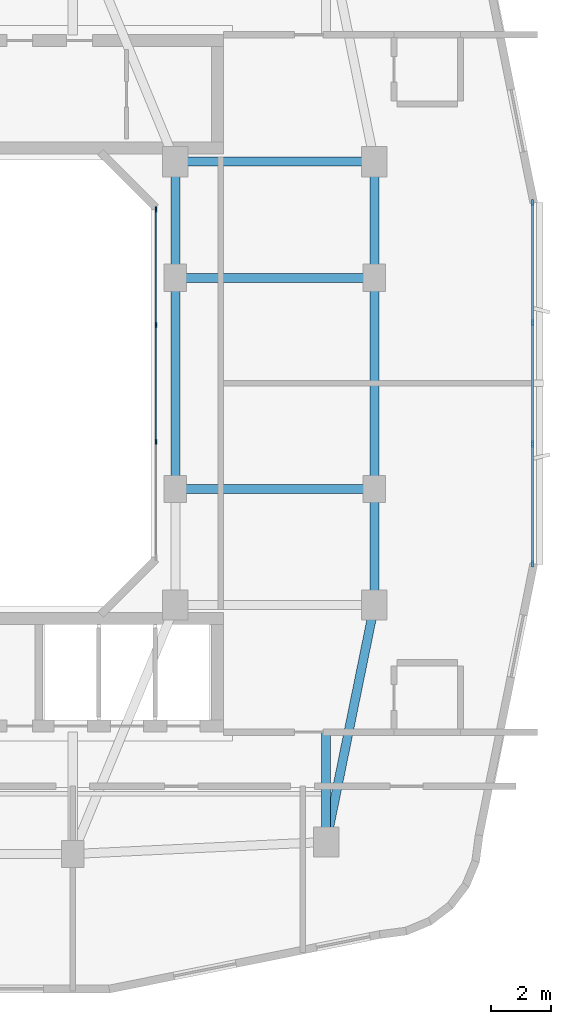
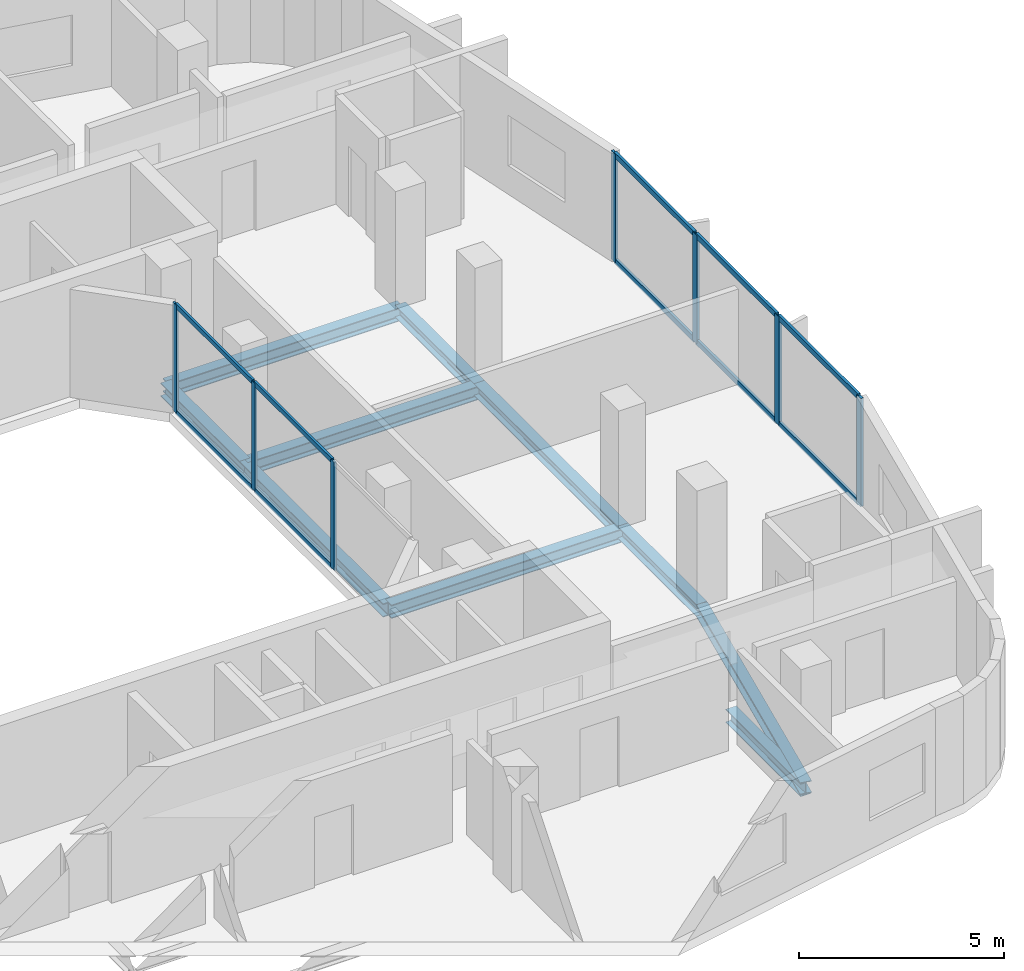
# One storey, part 3 of 12: 17 members, 10 beams, 2 elements without a shape of their own.
"""IFC4 building model written with IfcOpenShell, lengths in metres."""

import ifcopenshell
import ifcopenshell.guid

model = None  # the IFC model being written
_history = None  # IfcOwnerHistory: only IFC2X3 demands one
_inside = {}  # id of a spatial element -> (the spatial element, [elements in it])
_under = {}  # id of a project, library or spatial element -> (it, [spatial elements below it])
_declared = {}  # id of a project -> (the project, [libraries it declares])
_typed = {}  # id of a type object -> (the type object, [elements of that type])
_made_of = {}  # id of a material, layer set ... -> (it, [elements and type objects made of it])


def new_model(schema):
    """Start an empty IFC model of exactly this schema.

    Asked for "IFC4X3", IfcOpenShell would pick the latest addendum, in which some entities
    have other attributes; the version numbers below select the first issue.
    IFC2X3 requires an IfcOwnerHistory on every rooted entity: one is made here for all.
    """
    global model, _history
    if schema == "IFC4X3":
        model = ifcopenshell.file(schema_version=(4, 3, 0, 0))
    else:
        model = ifcopenshell.file(schema=schema)
    _inside.clear()
    _under.clear()
    _declared.clear()
    _typed.clear()
    _made_of.clear()
    _history = None
    if model.schema == "IFC2X3":
        org = make("IfcOrganization", Name="unknown")
        user = make(
            "IfcPersonAndOrganization",
            ThePerson=make("IfcPerson", FamilyName="unknown"),
            TheOrganization=org,
        )
        app = make(
            "IfcApplication",
            ApplicationDeveloper=org,
            Version="unknown",
            ApplicationFullName="unknown",
            ApplicationIdentifier="unknown",
        )
        _history = make(
            "IfcOwnerHistory",
            OwningUser=user,
            OwningApplication=app,
            ChangeAction="ADDED",
            CreationDate=0,
        )
    return model


def make(cls, **values):
    """One entity of the class cls with the attributes given. An attribute that is None is left unset."""
    return model.create_entity(
        cls, **{name: value for name, value in values.items() if value is not None}
    )


def rooted(cls, **values):
    """An entity with a GlobalId (a new one), such as an element, a storey or a relation."""
    return make(cls, GlobalId=ifcopenshell.guid.new(), OwnerHistory=_history, **values)


def si_unit(unit_type, name, prefix=None):
    """IfcSIUnit, for example si_unit("LENGTHUNIT", "METRE", prefix="MILLI")."""
    return make("IfcSIUnit", UnitType=unit_type, Prefix=prefix, Name=name)


def derived_unit(unit_type, elements):
    """IfcDerivedUnit: a product of units, each with its exponent."""
    return make(
        "IfcDerivedUnit",
        Elements=[
            make("IfcDerivedUnitElement", Unit=unit, Exponent=power)
            for unit, power in elements
        ],
        UnitType=unit_type,
    )


def assignment(units):
    """IfcUnitAssignment: the units of a project."""
    return None if units is None else make("IfcUnitAssignment", Units=units)


def point(xyz):
    """IfcCartesianPoint."""
    return None if xyz is None else make("IfcCartesianPoint", Coordinates=xyz)


def direction(xyz):
    """IfcDirection."""
    return None if xyz is None else make("IfcDirection", DirectionRatios=xyz)


def frame(location, z_axis=None, x_axis=None):
    """IfcAxis2Placement3D, a coordinate frame: its origin and axes. An axis left out is left unset."""
    return make(
        "IfcAxis2Placement3D",
        Location=point(location),
        Axis=direction(z_axis),
        RefDirection=direction(x_axis),
    )


def frame_2d(location, x_axis=None):
    """IfcAxis2Placement2D, a coordinate frame in the plane: its origin and x axis."""
    return make(
        "IfcAxis2Placement2D", Location=point(location), RefDirection=direction(x_axis)
    )


def origin():
    """The frame at (0, 0, 0) with its axes left unset."""
    return frame((0.0, 0.0, 0.0))


def origin_2d():
    """The frame at (0, 0) in the plane with its x axis left unset."""
    return frame_2d((0.0, 0.0))


def place(relative_to, where):
    """IfcLocalPlacement: puts the frame where relative to a parent placement (None: the world)."""
    return make(
        "IfcLocalPlacement", PlacementRelTo=relative_to, RelativePlacement=where
    )


def context(
    kind, dimensions, precision=None, world=None, true_north=None, identifier=None
):
    """IfcGeometricRepresentationContext, for example the 3D "Model" context."""
    return make(
        "IfcGeometricRepresentationContext",
        ContextIdentifier=identifier,
        ContextType=kind,
        CoordinateSpaceDimension=dimensions,
        Precision=precision,
        WorldCoordinateSystem=world,
        TrueNorth=true_north,
    )


def subcontext(parent, identifier, kind, view, scale=None):
    """IfcGeometricRepresentationSubContext, for example "Body" below "Model"."""
    return make(
        "IfcGeometricRepresentationSubContext",
        ContextIdentifier=identifier,
        ContextType=kind,
        ParentContext=parent,
        TargetScale=scale,
        TargetView=view,
    )


def project(units=None, contexts=None):
    """IfcProject with its units and contexts."""
    return rooted(
        "IfcProject",
        Name="project",
        RepresentationContexts=contexts,
        UnitsInContext=assignment(units),
    )


def spatial(cls, under=None, at=None, **own):
    """A site, building, storey or space (cls), placed at a placement, below another one or the project."""
    s = rooted(cls, ObjectPlacement=at, **own)
    if under is not None:
        _under.setdefault(under.id(), (under, []))[1].append(s)
    return s


def profile(cls, at=None, kind="AREA", **sizes):
    """A parametric profile (cls). Its sizes go by their IFC names, for example OverallWidth=200.0."""
    return make(cls, ProfileType=kind, Position=at, **sizes)


def rectangle(**sizes):
    """IfcRectangleProfileDef."""
    return profile("IfcRectangleProfileDef", **sizes)


def i_section(**sizes):
    """IfcIShapeProfileDef."""
    return profile("IfcIShapeProfileDef", **sizes)


def extrude(swept, where, along, depth):
    """IfcExtrudedAreaSolid: the profile swept, set in the frame where, extruded along a direction by depth."""
    return make(
        "IfcExtrudedAreaSolid",
        SweptArea=swept,
        Position=where,
        ExtrudedDirection=direction(along),
        Depth=depth,
    )


def shape(context_of_items, identifier, shape_type, items):
    """IfcShapeRepresentation: the items that make up one representation, for example the "Body"."""
    return make(
        "IfcShapeRepresentation",
        ContextOfItems=context_of_items,
        RepresentationIdentifier=identifier,
        RepresentationType=shape_type,
        Items=items,
    )


def material(Name=None, Category=None):
    """IfcMaterial."""
    return make("IfcMaterial", Name=Name, Category=Category)


def layer(
    of_material, thickness, ventilated=None, Name=None, Category=None, Priority=None
):
    """IfcMaterialLayer: one layer of a wall or slab, of a material (None: an air gap)."""
    return make(
        "IfcMaterialLayer",
        Material=of_material,
        LayerThickness=thickness,
        IsVentilated=ventilated,
        Name=Name,
        Category=Category,
        Priority=Priority,
    )


def layer_set(layers, Name=None):
    """IfcMaterialLayerSet."""
    return make("IfcMaterialLayerSet", MaterialLayers=layers, LayerSetName=Name)


def material_profile(
    of_material, cross_section, Name=None, Category=None, Priority=None
):
    """IfcMaterialProfile: a cross section and its material."""
    return make(
        "IfcMaterialProfile",
        Name=Name,
        Material=of_material,
        Profile=cross_section,
        Priority=Priority,
        Category=Category,
    )


def profile_set(profiles, Name=None, composite=None):
    """IfcMaterialProfileSet."""
    return make(
        "IfcMaterialProfileSet",
        Name=Name,
        MaterialProfiles=profiles,
        CompositeProfile=composite,
    )


def made_of(thing, what):
    """Note that an element or type object is made of a material, layer set ...; save() writes the relation."""
    if what is not None:
        _made_of.setdefault(what.id(), (what, []))[1].append(thing)
    return thing


def type_object(cls, material=None, **own):
    """A type object (cls), such as IfcWallType, which elements share."""
    return made_of(rooted(cls, **own), material)


def element(
    cls,
    number,
    at=None,
    inside=None,
    cuts=None,
    type_object=None,
    material=None,
    context=None,
    identifier="Body",
    shape_type=None,
    held_by="IfcProductDefinitionShape",
    body=None,
    shapes=None,
    **own,
):
    """One element of the class cls, such as IfcWall. Its Tag is "e" and its number.

    at: its placement. inside: the storey or other place that contains it. cuts: it is an
    opening in that element (IfcRelVoidsElement). A single representation is given by context,
    identifier, shape_type and body (its items); several are given by shapes. held_by: the class
    of the entity that holds the representations. save() writes the other relations.
    """
    e = rooted(cls, Tag="e%d" % number, ObjectPlacement=at, **own)
    if body is not None:
        shapes = [shape(context, identifier, shape_type, body)]
    if shapes is not None:
        e.Representation = make(held_by, Representations=shapes)
    if inside is not None:
        _inside.setdefault(inside.id(), (inside, []))[1].append(e)
    if cuts is not None:
        rooted(
            "IfcRelVoidsElement", RelatingBuildingElement=cuts, RelatedOpeningElement=e
        )
    if type_object is not None:
        _typed.setdefault(type_object.id(), (type_object, []))[1].append(e)
    return made_of(e, material)


def aggregate(whole, parts):
    """IfcRelAggregates: a whole, such as a stair, and the parts it consists of."""
    return rooted("IfcRelAggregates", RelatingObject=whole, RelatedObjects=parts)


def save(model, path):
    """Write the relations noted so far, then the file.

    IfcRelAggregates (storeys below a building ...), IfcRelContainedInSpatialStructure (elements
    in a storey), IfcRelDefinesByType, IfcRelAssociatesMaterial and IfcRelDeclares: one each for
    every whole, place, type object, material and project.
    """
    for whole, parts in _under.values():
        aggregate(whole, parts)
    for where, things in _inside.values():
        rooted(
            "IfcRelContainedInSpatialStructure",
            RelatedElements=things,
            RelatingStructure=where,
        )
    for kind, things in _typed.values():
        rooted("IfcRelDefinesByType", RelatedObjects=things, RelatingType=kind)
    for what, things in _made_of.values():
        rooted("IfcRelAssociatesMaterial", RelatedObjects=things, RelatingMaterial=what)
    for by, libraries in _declared.values():
        rooted("IfcRelDeclares", RelatingContext=by, RelatedDefinitions=libraries)
    model.write(path)


model = new_model("IFC4")

# Units and contexts
model_context = context("Model", 3, precision=1e-05, world=origin(), true_north=direction((0.0, 1.0)))
body_context = subcontext(model_context, "Body", "Model", "MODEL_VIEW")
ifc_project = project(units=[si_unit("LENGTHUNIT", "METRE"), si_unit("AREAUNIT", "SQUARE_METRE"), si_unit("VOLUMEUNIT", "CUBIC_METRE"), si_unit("PLANEANGLEUNIT", "RADIAN"), si_unit("MASSUNIT", "GRAM", prefix="KILO"), derived_unit("THERMALTRANSMITTANCEUNIT", [(si_unit("POWERUNIT", "WATT"), 1), (si_unit("LENGTHUNIT", "METRE"), -2), (si_unit("THERMODYNAMICTEMPERATUREUNIT", "KELVIN"), -1)])], contexts=[model_context])

# Site, building, storey
site_placement = place(None, origin())
site = spatial("IfcSite", under=ifc_project, at=site_placement, CompositionType="ELEMENT")
building_placement = place(site_placement, origin())
building = spatial("IfcBuilding", under=site, at=building_placement, Name="Kivonza Crest Hotel", CompositionType="ELEMENT")
storey_placement = place(building_placement, frame((0.0, 0.0, 166.0)))
storey = spatial("IfcBuildingStorey", under=building, at=storey_placement, Name="L45", CompositionType="ELEMENT", Elevation=166.0)

# Beams
ifc_material_1 = material(Name="Steel S355", Category="steel")
ifc_material_profile_1 = material_profile(ifc_material_1, i_section(OverallWidth=0.300048828125, OverallDepth=0.360107421875, WebThickness=0.012451171875, FlangeThickness=0.0224609375, FilletRadius=0.027099609375, at=origin_2d()), Name="HEB 360")
ifc_profile_set_1 = profile_set([ifc_material_profile_1], Name="Steel S355")
beam_type_1 = type_object("IfcBeamType", Name="BM-HEB360", PredefinedType="SPANDREL", material=ifc_profile_set_1)
beam_1_placement = place(storey_placement, frame((34.199951171875, 9.800048828125, -0.4599609375), z_axis=(0.199730733965, 0.979850822273, 0.0), x_axis=(-0.979850822273, 0.199730733965, 0.0)))
element("IfcBeam", 1, at=beam_1_placement, inside=storey, type_object=beam_type_1, Name="Tower T1 L45 perimeter spandrel SE-PSE", PredefinedType="SPANDREL", context=body_context, shape_type="SweptSolid", body=[
    extrude(i_section(OverallWidth=0.300048828125, OverallDepth=0.360107421875, WebThickness=0.012451171875, FlangeThickness=0.0224609375, FilletRadius=0.027099609375, at=origin_2d()), origin(), (0.0, 0.0, 1.0), 8.01123046875),
])
beam_2_placement = place(storey_placement, frame((35.800048828125, 17.64990234375, -0.4599609375), z_axis=(0.0, 1.0, 0.0), x_axis=(-1.0, 0.0, 0.0)))
element("IfcBeam", 2, at=beam_2_placement, inside=storey, type_object=beam_type_1, Name="Tower T1 L45 perimeter spandrel PSE-E1", PredefinedType="SPANDREL", context=body_context, shape_type="SweptSolid", body=[
    extrude(i_section(OverallWidth=0.300048828125, OverallDepth=0.360107421875, WebThickness=0.012451171875, FlangeThickness=0.0224609375, FilletRadius=0.027099609375, at=origin_2d()), origin(), (0.0, 0.0, 1.0), 3.85009765625),
])
beam_3_placement = place(storey_placement, frame((35.800048828125, 21.5, -0.4599609375), z_axis=(0.0, 1.0, 0.0), x_axis=(-1.0, 0.0, 0.0)))
element("IfcBeam", 3, at=beam_3_placement, inside=storey, type_object=beam_type_1, Name="Tower T1 L45 perimeter spandrel E1-E2", PredefinedType="SPANDREL", context=body_context, shape_type="SweptSolid", body=[
    extrude(i_section(OverallWidth=0.300048828125, OverallDepth=0.360107421875, WebThickness=0.012451171875, FlangeThickness=0.0224609375, FilletRadius=0.027099609375, at=origin_2d()), origin(), (0.0, 0.0, 1.0), 7.0),
])
beam_4_placement = place(storey_placement, frame((35.800048828125, 28.5, -0.4599609375), z_axis=(0.0, 1.0, 0.0), x_axis=(-1.0, 0.0, 0.0)))
element("IfcBeam", 4, at=beam_4_placement, inside=storey, type_object=beam_type_1, Name="Tower T1 L45 perimeter spandrel E2-PNE", PredefinedType="SPANDREL", context=body_context, shape_type="SweptSolid", body=[
    extrude(i_section(OverallWidth=0.300048828125, OverallDepth=0.360107421875, WebThickness=0.012451171875, FlangeThickness=0.0224609375, FilletRadius=0.027099609375, at=origin_2d()), origin(), (0.0, 0.0, 1.0), 3.85009765625),
])
ifc_material_profile_2 = material_profile(ifc_material_1, i_section(OverallWidth=0.300048828125, OverallDepth=0.39990234375, WebThickness=0.013427734375, FlangeThickness=0.02392578125, FilletRadius=0.027099609375, at=origin_2d()), Name="HEB 400")
ifc_profile_set_2 = profile_set([ifc_material_profile_2], Name="Steel S355")
beam_type_2 = type_object("IfcBeamType", Name="BM-HEB400", PredefinedType="BEAM", material=ifc_profile_set_2)
beam_5_placement = place(storey_placement, frame((29.199951171875, 32.35009765625, -0.47998046875), z_axis=(1.0, 0.0, 0.0), x_axis=(0.0, 1.0, 0.0)))
element("IfcBeam", 5, at=beam_5_placement, inside=storey, type_object=beam_type_2, Name="Tower T1 L45 primary girder TNE-PNE", PredefinedType="BEAM", context=body_context, shape_type="SweptSolid", body=[
    extrude(i_section(OverallWidth=0.300048828125, OverallDepth=0.39990234375, WebThickness=0.013427734375, FlangeThickness=0.02392578125, FilletRadius=0.027099609375, at=origin_2d()), origin(), (0.0, 0.0, 1.0), 6.60009765625),
])
beam_6_placement = place(storey_placement, frame((29.199951171875, 21.5, -0.47998046875), z_axis=(0.0, 1.0, 0.0), x_axis=(-1.0, 0.0, 0.0)))
element("IfcBeam", 6, at=beam_6_placement, inside=storey, type_object=beam_type_2, Name="Tower T1 L45 primary girder WR1-WR2", PredefinedType="BEAM", context=body_context, shape_type="SweptSolid", body=[
    extrude(i_section(OverallWidth=0.300048828125, OverallDepth=0.39990234375, WebThickness=0.013427734375, FlangeThickness=0.02392578125, FilletRadius=0.027099609375, at=origin_2d()), origin(), (0.0, 0.0, 1.0), 7.0),
])
beam_7_placement = place(storey_placement, frame((29.199951171875, 28.5, -0.47998046875), z_axis=(0.0, 1.0, 0.0), x_axis=(-1.0, 0.0, 0.0)))
element("IfcBeam", 7, at=beam_7_placement, inside=storey, type_object=beam_type_2, Name="Tower T1 L45 primary girder WR2-TNE", PredefinedType="BEAM", context=body_context, shape_type="SweptSolid", body=[
    extrude(i_section(OverallWidth=0.300048828125, OverallDepth=0.39990234375, WebThickness=0.013427734375, FlangeThickness=0.02392578125, FilletRadius=0.027099609375, at=origin_2d()), origin(), (0.0, 0.0, 1.0), 3.85009765625),
])
for number, where, z_axis, x_axis, name in (
    (8, (29.199951171875, 21.5, -0.47998046875), (1.0, 0.0, 0.0), (0.0, 1.0, 0.0), "Tower T1 L45 primary girder WR1-E1"),
    (9, (29.199951171875, 28.5, -0.47998046875), (1.0, 0.0, 0.0), (0.0, 1.0, 0.0), "Tower T1 L45 primary girder WR2-E2"),
):
    element("IfcBeam", number, at=place(storey_placement, frame(where, z_axis=z_axis, x_axis=x_axis)), inside=storey, type_object=beam_type_2, Name=name, PredefinedType="BEAM", context=body_context, shape_type="SweptSolid", body=[
        extrude(i_section(OverallWidth=0.300048828125, OverallDepth=0.39990234375, WebThickness=0.013427734375, FlangeThickness=0.02392578125, FilletRadius=0.027099609375, at=origin_2d()), origin(), (0.0, 0.0, 1.0), 6.60009765625),
    ])
beam_8_placement = place(storey_placement, frame((34.199951171875, 9.800048828125, -0.47998046875), z_axis=(0.0, 1.0, 0.0), x_axis=(-1.0, 0.0, 0.0)))
element("IfcBeam", 10, at=beam_8_placement, inside=storey, type_object=beam_type_2, Name="Tower T1 L45 radial core girder RSE", PredefinedType="BEAM", context=body_context, shape_type="SweptSolid", body=[
    extrude(i_section(OverallWidth=0.300048828125, OverallDepth=0.39990234375, WebThickness=0.013427734375, FlangeThickness=0.02392578125, FilletRadius=0.027099609375, at=origin_2d()), origin(), (0.0, 0.0, 1.0), 3.64990234375),
])

# Curtain wall, members
ifc_material_2 = material(Name="Anodised bronze aluminium and low-E double glazing", Category="aluminium")
ifc_layer_1 = layer(ifc_material_2, 0.159912109375)
ifc_layer_set_1 = layer_set([ifc_layer_1], Name="Anodised bronze aluminium and low-E double glazing")
curtain_wall_type_1 = type_object("IfcCurtainWallType", Name="CW-SYS-5", PredefinedType="NOTDEFINED", material=ifc_layer_set_1)
curtain_wall_1_placement = place(storey_placement, origin())
curtain_wall_1 = element("IfcCurtainWall", 11, at=curtain_wall_1_placement, inside=storey, type_object=curtain_wall_type_1, Name="L45 unitised curtain wall CW-WELL-T1-L45-3", PredefinedType="NOTDEFINED")
ifc_material_3 = material(Name="Anodised bronze aluminium", Category="aluminium")
ifc_material_profile_3 = material_profile(ifc_material_3, rectangle(XDim=0.06494140625, YDim=0.179931640625, at=origin_2d()), Name="CW-M 65x180")
ifc_profile_set_3 = profile_set([ifc_material_profile_3], Name="Anodised bronze aluminium")
member_type_1 = type_object("IfcMemberType", Name="CW-MUL-65x180", PredefinedType="MULLION", material=ifc_profile_set_3)
member_1_placement = place(storey_placement, frame((28.56005859375, 23.066650390625, 0.0), z_axis=(0.0, 0.0, 1.0), x_axis=(-1.0, 0.0, 0.0)))
member_1 = element("IfcMember", 12, at=member_1_placement, type_object=member_type_1, Name="CW-5 mullion 2", PredefinedType="MULLION", context=body_context, shape_type="SweptSolid", body=[
    extrude(rectangle(XDim=0.06494140625, YDim=0.179931640625, at=origin_2d()), origin(), (0.0, 0.0, 1.0), 3.219970703125),
])
member_2_placement = place(storey_placement, frame((28.56005859375, 26.933349609375, 0.0), z_axis=(0.0, 0.0, 1.0), x_axis=(-1.0, 0.0, 0.0)))
member_2 = element("IfcMember", 13, at=member_2_placement, type_object=member_type_1, Name="CW-5 mullion 3", PredefinedType="MULLION", context=body_context, shape_type="SweptSolid", body=[
    extrude(rectangle(XDim=0.06494140625, YDim=0.179931640625, at=origin_2d()), origin(), (0.0, 0.0, 1.0), 3.219970703125),
])
member_3_placement = place(storey_placement, frame((28.56005859375, 30.767578125, 0.0), z_axis=(0.0, 0.0, 1.0), x_axis=(-1.0, 0.0, 0.0)))
member_3 = element("IfcMember", 14, at=member_3_placement, type_object=member_type_1, Name="CW-5 mullion 4", PredefinedType="MULLION", context=body_context, shape_type="SweptSolid", body=[
    extrude(rectangle(XDim=0.06494140625, YDim=0.179931640625, at=origin_2d()), origin(), (0.0, 0.0, 1.0), 3.219970703125),
])

ifc_layer_2 = layer(ifc_material_2, 0.179931640625)
ifc_layer_set_2 = layer_set([ifc_layer_2], Name="Anodised bronze aluminium and low-E double glazing")
curtain_wall_type_2 = type_object("IfcCurtainWallType", Name="CW-SYS-3", PredefinedType="NOTDEFINED", material=ifc_layer_set_2)
curtain_wall_2_placement = place(storey_placement, origin())
curtain_wall_2 = element("IfcCurtainWall", 15, at=curtain_wall_2_placement, inside=storey, type_object=curtain_wall_type_2, Name="L45 unitised curtain wall CW-T1-L45-17", PredefinedType="NOTDEFINED")
ifc_material_profile_4 = material_profile(ifc_material_3, rectangle(XDim=0.074951171875, YDim=0.219970703125, at=origin_2d()), Name="CW-M 75x220")
ifc_profile_set_4 = profile_set([ifc_material_profile_4], Name="Anodised bronze aluminium")
member_type_2 = type_object("IfcMemberType", Name="CW-MUL-75x220", PredefinedType="MULLION", material=ifc_profile_set_4)
member_4_placement = place(storey_placement, frame((41.0400390625, 19.017578125, 0.0), z_axis=(0.0, 0.0, 1.0), x_axis=(-1.0, 0.0, 0.0)))
member_4 = element("IfcMember", 16, at=member_4_placement, type_object=member_type_2, Name="CW-3 mullion 1", PredefinedType="MULLION", context=body_context, shape_type="SweptSolid", body=[
    extrude(rectangle(XDim=0.074951171875, YDim=0.219970703125, at=origin_2d()), origin(), (0.0, 0.0, 1.0), 3.219970703125),
])
member_5_placement = place(storey_placement, frame((41.0400390625, 22.993408203125, 0.0), z_axis=(0.0, 0.0, 1.0), x_axis=(-1.0, 0.0, 0.0)))
member_5 = element("IfcMember", 17, at=member_5_placement, type_object=member_type_2, Name="CW-3 mullion 2", PredefinedType="MULLION", context=body_context, shape_type="SweptSolid", body=[
    extrude(rectangle(XDim=0.074951171875, YDim=0.219970703125, at=origin_2d()), origin(), (0.0, 0.0, 1.0), 3.219970703125),
])
member_6_placement = place(storey_placement, frame((41.0400390625, 27.006591796875, 0.0), z_axis=(0.0, 0.0, 1.0), x_axis=(-1.0, 0.0, 0.0)))
member_6 = element("IfcMember", 18, at=member_6_placement, type_object=member_type_2, Name="CW-3 mullion 3", PredefinedType="MULLION", context=body_context, shape_type="SweptSolid", body=[
    extrude(rectangle(XDim=0.074951171875, YDim=0.219970703125, at=origin_2d()), origin(), (0.0, 0.0, 1.0), 3.219970703125),
])
member_7_placement = place(storey_placement, frame((41.0400390625, 30.982421875, 0.0), z_axis=(0.0, 0.0, 1.0), x_axis=(-1.0, 0.0, 0.0)))
member_7 = element("IfcMember", 19, at=member_7_placement, type_object=member_type_2, Name="CW-3 mullion 4", PredefinedType="MULLION", context=body_context, shape_type="SweptSolid", body=[
    extrude(rectangle(XDim=0.074951171875, YDim=0.219970703125, at=origin_2d()), origin(), (0.0, 0.0, 1.0), 3.219970703125),
])

# Member
ifc_material_profile_5 = material_profile(ifc_material_3, rectangle(XDim=0.06494140625, YDim=0.139892578125, at=origin_2d()), Name="CW-T 65x140")
ifc_profile_set_5 = profile_set([ifc_material_profile_5], Name="Anodised bronze aluminium")
member_type_3 = type_object("IfcMemberType", Name="CW-TRN-65x140", PredefinedType="USERDEFINED", material=ifc_profile_set_5)
member_8_placement = place(storey_placement, frame((28.56005859375, 23.09912109375, 0.032470703125), z_axis=(0.0, 1.0, 0.0), x_axis=(-1.0, 0.0, 0.0)))
member_8 = element("IfcMember", 20, at=member_8_placement, type_object=member_type_3, Name="CW-5 transom 2.1", ObjectType="TRANSOM", PredefinedType="USERDEFINED", context=body_context, shape_type="SweptSolid", body=[
    extrude(rectangle(XDim=0.06494140625, YDim=0.139892578125, at=origin_2d()), origin(), (0.0, 0.0, 1.0), 3.8017578125),
])

member_9_placement = place(storey_placement, frame((28.56005859375, 23.09912109375, 3.1875), z_axis=(0.0, 1.0, 0.0), x_axis=(-1.0, 0.0, 0.0)))
member_9 = element("IfcMember", 21, at=member_9_placement, type_object=member_type_3, Name="CW-5 transom 2.2", ObjectType="TRANSOM", PredefinedType="USERDEFINED", context=body_context, shape_type="SweptSolid", body=[
    extrude(rectangle(XDim=0.06494140625, YDim=0.139892578125, at=origin_2d()), origin(), (0.0, 0.0, 1.0), 3.8017578125),
])

member_10_placement = place(storey_placement, frame((28.56005859375, 26.9658203125, 0.032470703125), z_axis=(0.0, 1.0, 0.0), x_axis=(-1.0, 0.0, 0.0)))
member_10 = element("IfcMember", 22, at=member_10_placement, type_object=member_type_3, Name="CW-5 transom 3.1", ObjectType="TRANSOM", PredefinedType="USERDEFINED", context=body_context, shape_type="SweptSolid", body=[
    extrude(rectangle(XDim=0.06494140625, YDim=0.139892578125, at=origin_2d()), origin(), (0.0, 0.0, 1.0), 3.769287109375),
])

member_11_placement = place(storey_placement, frame((28.56005859375, 26.9658203125, 3.1875), z_axis=(0.0, 1.0, 0.0), x_axis=(-1.0, 0.0, 0.0)))
member_11 = element("IfcMember", 23, at=member_11_placement, type_object=member_type_3, Name="CW-5 transom 3.2", ObjectType="TRANSOM", PredefinedType="USERDEFINED", context=body_context, shape_type="SweptSolid", body=[
    extrude(rectangle(XDim=0.06494140625, YDim=0.139892578125, at=origin_2d()), origin(), (0.0, 0.0, 1.0), 3.769287109375),
])

aggregate(curtain_wall_1, [member_1, member_2, member_3, member_8, member_9, member_10, member_11])

ifc_material_profile_6 = material_profile(ifc_material_3, rectangle(XDim=0.074951171875, YDim=0.159912109375, at=origin_2d()), Name="CW-T 75x160")
ifc_profile_set_6 = profile_set([ifc_material_profile_6], Name="Anodised bronze aluminium")
member_type_4 = type_object("IfcMemberType", Name="CW-TRN-75x160", PredefinedType="USERDEFINED", material=ifc_profile_set_6)
member_12_placement = place(storey_placement, frame((41.0400390625, 19.054931640625, 0.03759765625), z_axis=(0.0, 1.0, 0.0), x_axis=(-1.0, 0.0, 0.0)))
member_12 = element("IfcMember", 24, at=member_12_placement, type_object=member_type_4, Name="CW-3 transom 1.1", ObjectType="TRANSOM", PredefinedType="USERDEFINED", context=body_context, shape_type="SweptSolid", body=[
    extrude(rectangle(XDim=0.074951171875, YDim=0.159912109375, at=origin_2d()), origin(), (0.0, 0.0, 1.0), 3.90087890625),
])

member_13_placement = place(storey_placement, frame((41.0400390625, 19.054931640625, 3.1826171875), z_axis=(0.0, 1.0, 0.0), x_axis=(-1.0, 0.0, 0.0)))
member_13 = element("IfcMember", 25, at=member_13_placement, type_object=member_type_4, Name="CW-3 transom 1.2", ObjectType="TRANSOM", PredefinedType="USERDEFINED", context=body_context, shape_type="SweptSolid", body=[
    extrude(rectangle(XDim=0.074951171875, YDim=0.159912109375, at=origin_2d()), origin(), (0.0, 0.0, 1.0), 3.90087890625),
])

member_14_placement = place(storey_placement, frame((41.0400390625, 23.03076171875, 0.03759765625), z_axis=(0.0, 1.0, 0.0), x_axis=(-1.0, 0.0, 0.0)))
member_14 = element("IfcMember", 26, at=member_14_placement, type_object=member_type_4, Name="CW-3 transom 2.1", ObjectType="TRANSOM", PredefinedType="USERDEFINED", context=body_context, shape_type="SweptSolid", body=[
    extrude(rectangle(XDim=0.074951171875, YDim=0.159912109375, at=origin_2d()), origin(), (0.0, 0.0, 1.0), 3.9384765625),
])

member_15_placement = place(storey_placement, frame((41.0400390625, 23.03076171875, 3.1826171875), z_axis=(0.0, 1.0, 0.0), x_axis=(-1.0, 0.0, 0.0)))
member_15 = element("IfcMember", 27, at=member_15_placement, type_object=member_type_4, Name="CW-3 transom 2.2", ObjectType="TRANSOM", PredefinedType="USERDEFINED", context=body_context, shape_type="SweptSolid", body=[
    extrude(rectangle(XDim=0.074951171875, YDim=0.159912109375, at=origin_2d()), origin(), (0.0, 0.0, 1.0), 3.9384765625),
])

member_16_placement = place(storey_placement, frame((41.0400390625, 27.044189453125, 0.03759765625), z_axis=(0.0, 1.0, 0.0), x_axis=(-1.0, 0.0, 0.0)))
member_16 = element("IfcMember", 28, at=member_16_placement, type_object=member_type_4, Name="CW-3 transom 3.1", ObjectType="TRANSOM", PredefinedType="USERDEFINED", context=body_context, shape_type="SweptSolid", body=[
    extrude(rectangle(XDim=0.074951171875, YDim=0.159912109375, at=origin_2d()), origin(), (0.0, 0.0, 1.0), 3.90087890625),
])

member_17_placement = place(storey_placement, frame((41.0400390625, 27.044189453125, 3.1826171875), z_axis=(0.0, 1.0, 0.0), x_axis=(-1.0, 0.0, 0.0)))
member_17 = element("IfcMember", 29, at=member_17_placement, type_object=member_type_4, Name="CW-3 transom 3.2", ObjectType="TRANSOM", PredefinedType="USERDEFINED", context=body_context, shape_type="SweptSolid", body=[
    extrude(rectangle(XDim=0.074951171875, YDim=0.159912109375, at=origin_2d()), origin(), (0.0, 0.0, 1.0), 3.90087890625),
])

aggregate(curtain_wall_2, [member_4, member_5, member_6, member_7, member_12, member_13, member_14, member_15, member_16, member_17])

save(model, "model.ifc")
